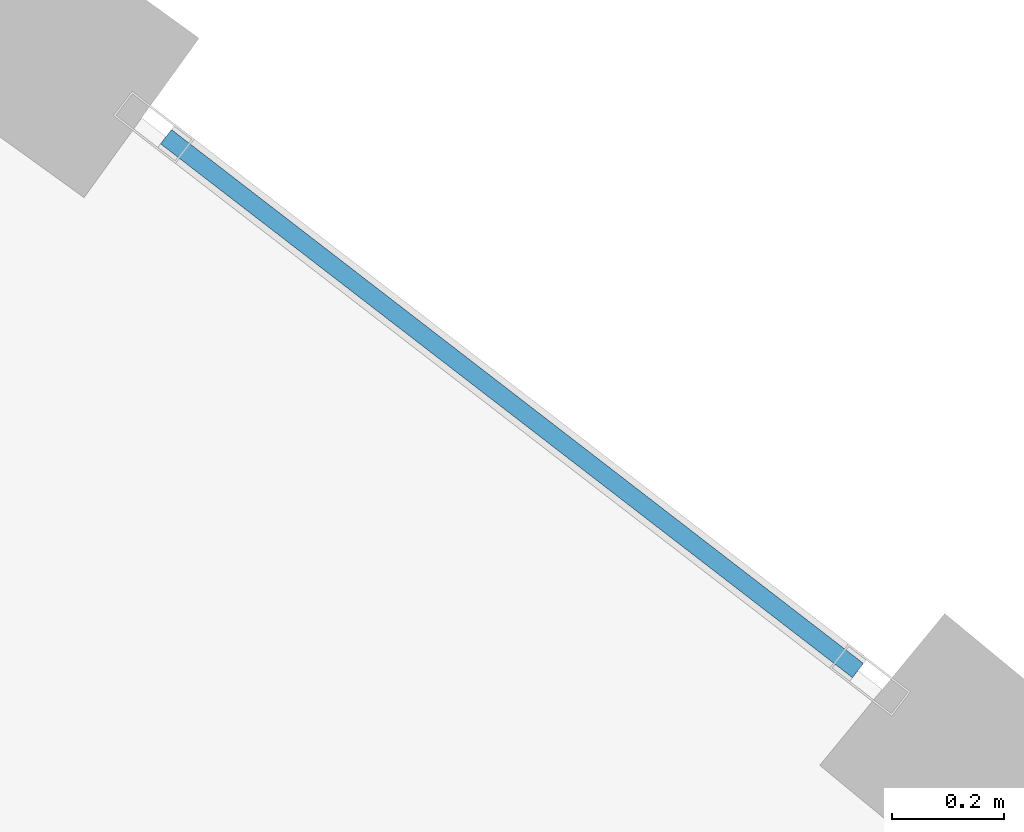
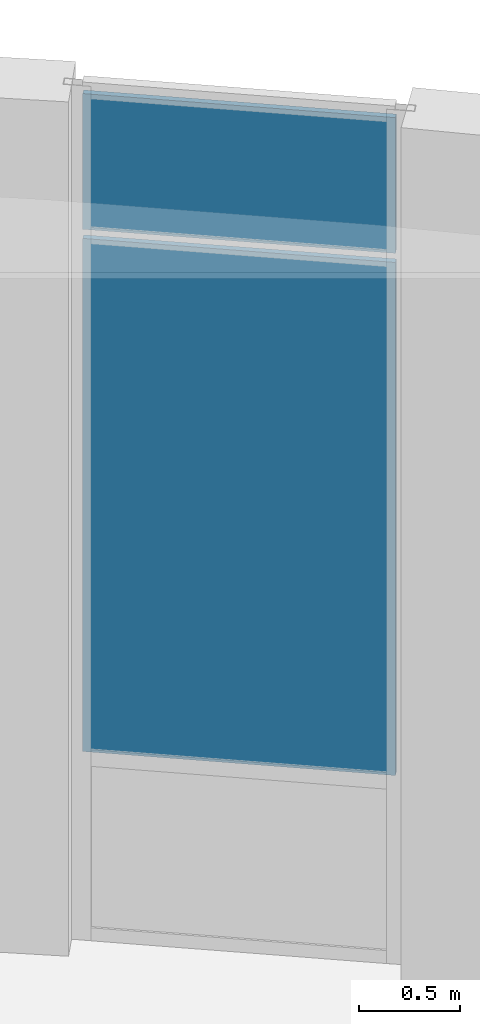
# One storey, part 63 of 110: 2 plates, 1 element without a shape of its own.
"""IFC4 building model written with IfcOpenShell, lengths in metres."""

from ifc_helpers import new_model, si_unit, direction, frame, origin, origin_2d, place, context, subcontext, project, spatial, rectangle, extrude, material, layer, layer_set, type_object, element, aggregate, save


model = new_model("IFC4")

# Units and contexts
model_context = context("Model", 3, precision=1e-05, world=origin(), true_north=direction((0.0, 1.0)))
body_context = subcontext(model_context, "Body", "Model", "MODEL_VIEW")
ifc_project = project(units=[si_unit("LENGTHUNIT", "METRE"), si_unit("AREAUNIT", "SQUARE_METRE"), si_unit("VOLUMEUNIT", "CUBIC_METRE"), si_unit("PLANEANGLEUNIT", "RADIAN"), si_unit("MASSUNIT", "GRAM", prefix="KILO"), si_unit("THERMODYNAMICTEMPERATUREUNIT", "KELVIN")], contexts=[model_context])

# Site, building, storey
site_placement = place(None, origin())
site = spatial("IfcSite", under=ifc_project, at=site_placement, CompositionType="ELEMENT")
building_placement = place(site_placement, origin())
building = spatial("IfcBuilding", under=site, at=building_placement, Name="Lustrewick Department Store", CompositionType="ELEMENT")
storey_placement = place(building_placement, frame((0.0, 0.0, 6.0)))
storey = spatial("IfcBuildingStorey", under=building, at=storey_placement, Name="L02", CompositionType="ELEMENT", Elevation=6.0)

# Curtain wall, plates
ifc_material_1 = material(Name="Thermally broken aluminium 6063-T5", Category="aluminium")
ifc_layer_1 = layer(ifc_material_1, 0.139892578125, Name="Thermally broken aluminium 6063-T5")
ifc_layer_set_1 = layer_set([ifc_layer_1], Name="Thermally broken aluminium 6063-T5")
curtain_wall_type = type_object("IfcCurtainWallType", Name="CW15", PredefinedType="NOTDEFINED", material=ifc_layer_set_1)
curtain_wall_placement = place(storey_placement, origin())
curtain_wall = element("IfcCurtainWall", 1, at=curtain_wall_placement, inside=storey, type_object=curtain_wall_type, Name="L02 V4 Curtain Wall CW15", PredefinedType="NOTDEFINED")
ifc_material_2 = material(Name="Low-E triple laminated safety glass", Category="glass")
ifc_layer_2 = layer(ifc_material_2, 0.031982421875, Name="Low-E triple laminated safety glass")
ifc_layer_set_2 = layer_set([ifc_layer_2], Name="Low-E triple laminated safety glass")
plate_type = type_object("IfcPlateType", Name="CP05", PredefinedType="CURTAIN_PANEL", material=ifc_layer_set_2)
plate_1_placement = place(storey_placement, frame((147.76171875, 100.764404296875, 1.12744140625), z_axis=(0.0, 0.0, 1.0), x_axis=(-0.791733347039, 0.610866848982, 0.0)))
plate_1 = element("IfcPlate", 2, at=plate_1_placement, type_object=plate_type, Name="CW15 panel 1.2", PredefinedType="CURTAIN_PANEL", context=body_context, shape_type="SweptSolid", body=[
    extrude(rectangle(XDim=1.556884765625, YDim=0.031982421875, at=origin_2d()), origin(), (0.0, 0.0, 1.0), 3.090087890625),
])
plate_2_placement = place(storey_placement, frame((147.76171875, 100.764404296875, 4.2724609375), z_axis=(0.0, 0.0, 1.0), x_axis=(-0.791733347039, 0.610866848982, 0.0)))
plate_2 = element("IfcPlate", 3, at=plate_2_placement, type_object=plate_type, Name="CW15 panel 1.3", PredefinedType="CURTAIN_PANEL", context=body_context, shape_type="SweptSolid", body=[
    extrude(rectangle(XDim=1.556884765625, YDim=0.031982421875, at=origin_2d()), origin(), (0.0, 0.0, 1.0), 0.8173828125),
])
aggregate(curtain_wall, [plate_1, plate_2])

save(model, "model.ifc")
